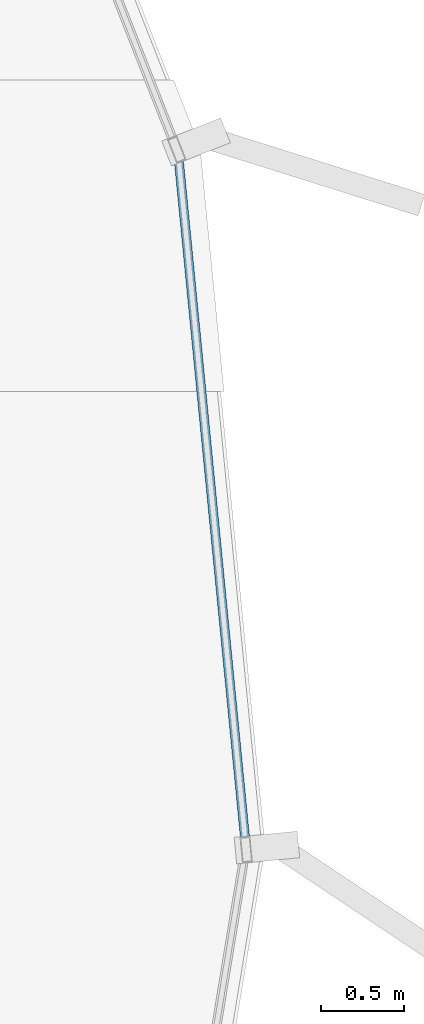
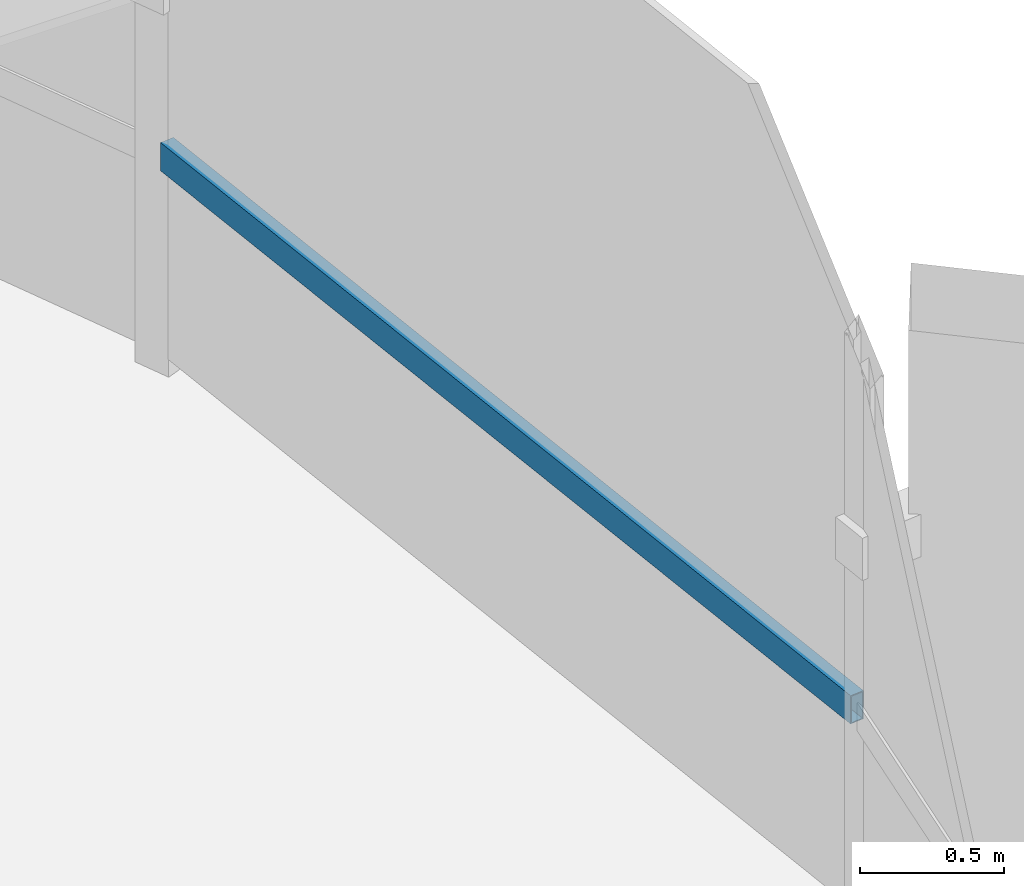
# One storey, part 17 of 35: 1 member, 1 element without a shape of its own.
"""IFC4 building model written with IfcOpenShell, lengths in metres."""

import ifcopenshell
import ifcopenshell.guid

model = None  # the IFC model being written
_history = None  # IfcOwnerHistory: only IFC2X3 demands one
_inside = {}  # id of a spatial element -> (the spatial element, [elements in it])
_under = {}  # id of a project, library or spatial element -> (it, [spatial elements below it])
_declared = {}  # id of a project -> (the project, [libraries it declares])
_typed = {}  # id of a type object -> (the type object, [elements of that type])
_made_of = {}  # id of a material, layer set ... -> (it, [elements and type objects made of it])


def new_model(schema):
    """Start an empty IFC model of exactly this schema.

    Asked for "IFC4X3", IfcOpenShell would pick the latest addendum, in which some entities
    have other attributes; the version numbers below select the first issue.
    IFC2X3 requires an IfcOwnerHistory on every rooted entity: one is made here for all.
    """
    global model, _history
    if schema == "IFC4X3":
        model = ifcopenshell.file(schema_version=(4, 3, 0, 0))
    else:
        model = ifcopenshell.file(schema=schema)
    _inside.clear()
    _under.clear()
    _declared.clear()
    _typed.clear()
    _made_of.clear()
    _history = None
    if model.schema == "IFC2X3":
        org = make("IfcOrganization", Name="unknown")
        user = make(
            "IfcPersonAndOrganization",
            ThePerson=make("IfcPerson", FamilyName="unknown"),
            TheOrganization=org,
        )
        app = make(
            "IfcApplication",
            ApplicationDeveloper=org,
            Version="unknown",
            ApplicationFullName="unknown",
            ApplicationIdentifier="unknown",
        )
        _history = make(
            "IfcOwnerHistory",
            OwningUser=user,
            OwningApplication=app,
            ChangeAction="ADDED",
            CreationDate=0,
        )
    return model


def make(cls, **values):
    """One entity of the class cls with the attributes given. An attribute that is None is left unset."""
    return model.create_entity(
        cls, **{name: value for name, value in values.items() if value is not None}
    )


def rooted(cls, **values):
    """An entity with a GlobalId (a new one), such as an element, a storey or a relation."""
    return make(cls, GlobalId=ifcopenshell.guid.new(), OwnerHistory=_history, **values)


def si_unit(unit_type, name, prefix=None):
    """IfcSIUnit, for example si_unit("LENGTHUNIT", "METRE", prefix="MILLI")."""
    return make("IfcSIUnit", UnitType=unit_type, Prefix=prefix, Name=name)


def assignment(units):
    """IfcUnitAssignment: the units of a project."""
    return None if units is None else make("IfcUnitAssignment", Units=units)


def point(xyz):
    """IfcCartesianPoint."""
    return None if xyz is None else make("IfcCartesianPoint", Coordinates=xyz)


def direction(xyz):
    """IfcDirection."""
    return None if xyz is None else make("IfcDirection", DirectionRatios=xyz)


def frame(location, z_axis=None, x_axis=None):
    """IfcAxis2Placement3D, a coordinate frame: its origin and axes. An axis left out is left unset."""
    return make(
        "IfcAxis2Placement3D",
        Location=point(location),
        Axis=direction(z_axis),
        RefDirection=direction(x_axis),
    )


def frame_2d(location, x_axis=None):
    """IfcAxis2Placement2D, a coordinate frame in the plane: its origin and x axis."""
    return make(
        "IfcAxis2Placement2D", Location=point(location), RefDirection=direction(x_axis)
    )


def origin():
    """The frame at (0, 0, 0) with its axes left unset."""
    return frame((0.0, 0.0, 0.0))


def origin_2d():
    """The frame at (0, 0) in the plane with its x axis left unset."""
    return frame_2d((0.0, 0.0))


def place(relative_to, where):
    """IfcLocalPlacement: puts the frame where relative to a parent placement (None: the world)."""
    return make(
        "IfcLocalPlacement", PlacementRelTo=relative_to, RelativePlacement=where
    )


def context(
    kind, dimensions, precision=None, world=None, true_north=None, identifier=None
):
    """IfcGeometricRepresentationContext, for example the 3D "Model" context."""
    return make(
        "IfcGeometricRepresentationContext",
        ContextIdentifier=identifier,
        ContextType=kind,
        CoordinateSpaceDimension=dimensions,
        Precision=precision,
        WorldCoordinateSystem=world,
        TrueNorth=true_north,
    )


def subcontext(parent, identifier, kind, view, scale=None):
    """IfcGeometricRepresentationSubContext, for example "Body" below "Model"."""
    return make(
        "IfcGeometricRepresentationSubContext",
        ContextIdentifier=identifier,
        ContextType=kind,
        ParentContext=parent,
        TargetScale=scale,
        TargetView=view,
    )


def project(units=None, contexts=None):
    """IfcProject with its units and contexts."""
    return rooted(
        "IfcProject",
        Name="project",
        RepresentationContexts=contexts,
        UnitsInContext=assignment(units),
    )


def spatial(cls, under=None, at=None, **own):
    """A site, building, storey or space (cls), placed at a placement, below another one or the project."""
    s = rooted(cls, ObjectPlacement=at, **own)
    if under is not None:
        _under.setdefault(under.id(), (under, []))[1].append(s)
    return s


def profile(cls, at=None, kind="AREA", **sizes):
    """A parametric profile (cls). Its sizes go by their IFC names, for example OverallWidth=200.0."""
    return make(cls, ProfileType=kind, Position=at, **sizes)


def hollow_rectangle(**sizes):
    """IfcRectangleHollowProfileDef."""
    return profile("IfcRectangleHollowProfileDef", **sizes)


def extrude(swept, where, along, depth):
    """IfcExtrudedAreaSolid: the profile swept, set in the frame where, extruded along a direction by depth."""
    return make(
        "IfcExtrudedAreaSolid",
        SweptArea=swept,
        Position=where,
        ExtrudedDirection=direction(along),
        Depth=depth,
    )


def shape(context_of_items, identifier, shape_type, items):
    """IfcShapeRepresentation: the items that make up one representation, for example the "Body"."""
    return make(
        "IfcShapeRepresentation",
        ContextOfItems=context_of_items,
        RepresentationIdentifier=identifier,
        RepresentationType=shape_type,
        Items=items,
    )


def source(mapping_origin, context_of_items, identifier, shape_type, items):
    """IfcRepresentationMap: a shape defined once, which mapped items show again and again."""
    return make(
        "IfcRepresentationMap",
        MappingOrigin=mapping_origin,
        MappedRepresentation=shape(context_of_items, identifier, shape_type, items),
    )


def transform(
    local_origin,
    x_axis=None,
    y_axis=None,
    z_axis=None,
    scale=None,
    scale2=None,
    scale3=None,
    uniform=True,
):
    """IfcCartesianTransformationOperator3D, or its non-uniform kind. x_axis, y_axis, z_axis: its Axis1, 2, 3."""
    if uniform:
        return make(
            "IfcCartesianTransformationOperator3D",
            Axis1=direction(x_axis),
            Axis2=direction(y_axis),
            LocalOrigin=point(local_origin),
            Scale=scale,
            Axis3=direction(z_axis),
        )
    return make(
        "IfcCartesianTransformationOperator3DnonUniform",
        Axis1=direction(x_axis),
        Axis2=direction(y_axis),
        LocalOrigin=point(local_origin),
        Scale=scale,
        Axis3=direction(z_axis),
        Scale2=scale2,
        Scale3=scale3,
    )


def mapped(mapping_source, mapping_target):
    """IfcMappedItem: shows the shape of a source again, moved by a transform."""
    return make(
        "IfcMappedItem", MappingSource=mapping_source, MappingTarget=mapping_target
    )


def material(Name=None, Category=None):
    """IfcMaterial."""
    return make("IfcMaterial", Name=Name, Category=Category)


def layer(
    of_material, thickness, ventilated=None, Name=None, Category=None, Priority=None
):
    """IfcMaterialLayer: one layer of a wall or slab, of a material (None: an air gap)."""
    return make(
        "IfcMaterialLayer",
        Material=of_material,
        LayerThickness=thickness,
        IsVentilated=ventilated,
        Name=Name,
        Category=Category,
        Priority=Priority,
    )


def layer_set(layers, Name=None):
    """IfcMaterialLayerSet."""
    return make("IfcMaterialLayerSet", MaterialLayers=layers, LayerSetName=Name)


def material_profile(
    of_material, cross_section, Name=None, Category=None, Priority=None
):
    """IfcMaterialProfile: a cross section and its material."""
    return make(
        "IfcMaterialProfile",
        Name=Name,
        Material=of_material,
        Profile=cross_section,
        Priority=Priority,
        Category=Category,
    )


def profile_set(profiles, Name=None, composite=None):
    """IfcMaterialProfileSet."""
    return make(
        "IfcMaterialProfileSet",
        Name=Name,
        MaterialProfiles=profiles,
        CompositeProfile=composite,
    )


def made_of(thing, what):
    """Note that an element or type object is made of a material, layer set ...; save() writes the relation."""
    if what is not None:
        _made_of.setdefault(what.id(), (what, []))[1].append(thing)
    return thing


def type_object(cls, material=None, **own):
    """A type object (cls), such as IfcWallType, which elements share."""
    return made_of(rooted(cls, **own), material)


def element(
    cls,
    number,
    at=None,
    inside=None,
    cuts=None,
    type_object=None,
    material=None,
    context=None,
    identifier="Body",
    shape_type=None,
    held_by="IfcProductDefinitionShape",
    body=None,
    shapes=None,
    **own,
):
    """One element of the class cls, such as IfcWall. Its Tag is "e" and its number.

    at: its placement. inside: the storey or other place that contains it. cuts: it is an
    opening in that element (IfcRelVoidsElement). A single representation is given by context,
    identifier, shape_type and body (its items); several are given by shapes. held_by: the class
    of the entity that holds the representations. save() writes the other relations.
    """
    e = rooted(cls, Tag="e%d" % number, ObjectPlacement=at, **own)
    if body is not None:
        shapes = [shape(context, identifier, shape_type, body)]
    if shapes is not None:
        e.Representation = make(held_by, Representations=shapes)
    if inside is not None:
        _inside.setdefault(inside.id(), (inside, []))[1].append(e)
    if cuts is not None:
        rooted(
            "IfcRelVoidsElement", RelatingBuildingElement=cuts, RelatedOpeningElement=e
        )
    if type_object is not None:
        _typed.setdefault(type_object.id(), (type_object, []))[1].append(e)
    return made_of(e, material)


def aggregate(whole, parts):
    """IfcRelAggregates: a whole, such as a stair, and the parts it consists of."""
    return rooted("IfcRelAggregates", RelatingObject=whole, RelatedObjects=parts)


def save(model, path):
    """Write the relations noted so far, then the file.

    IfcRelAggregates (storeys below a building ...), IfcRelContainedInSpatialStructure (elements
    in a storey), IfcRelDefinesByType, IfcRelAssociatesMaterial and IfcRelDeclares: one each for
    every whole, place, type object, material and project.
    """
    for whole, parts in _under.values():
        aggregate(whole, parts)
    for where, things in _inside.values():
        rooted(
            "IfcRelContainedInSpatialStructure",
            RelatedElements=things,
            RelatingStructure=where,
        )
    for kind, things in _typed.values():
        rooted("IfcRelDefinesByType", RelatedObjects=things, RelatingType=kind)
    for what, things in _made_of.values():
        rooted("IfcRelAssociatesMaterial", RelatedObjects=things, RelatingMaterial=what)
    for by, libraries in _declared.values():
        rooted("IfcRelDeclares", RelatingContext=by, RelatedDefinitions=libraries)
    model.write(path)


model = new_model("IFC4")

# Units and contexts
model_context = context("Model", 3, precision=1e-05, world=origin(), true_north=direction((0.0, 1.0)))
body_context = subcontext(model_context, "Body", "Model", "MODEL_VIEW")
ifc_project = project(units=[si_unit("LENGTHUNIT", "METRE"), si_unit("AREAUNIT", "SQUARE_METRE"), si_unit("VOLUMEUNIT", "CUBIC_METRE"), si_unit("PLANEANGLEUNIT", "RADIAN"), si_unit("MASSUNIT", "GRAM", prefix="KILO"), si_unit("THERMODYNAMICTEMPERATUREUNIT", "KELVIN")], contexts=[model_context])

# Site, building, storey
site_placement = place(None, origin())
site = spatial("IfcSite", under=ifc_project, at=site_placement, CompositionType="ELEMENT")
building_placement = place(site_placement, origin())
building = spatial("IfcBuilding", under=site, at=building_placement, Name="Kethvar Cultural Tower", CompositionType="ELEMENT")
storey_placement = place(building_placement, frame((0.0, 0.0, 89.199951171875)))
storey = spatial("IfcBuildingStorey", under=building, at=storey_placement, Name="L21", CompositionType="ELEMENT", Elevation=89.199951171875)

# Curtain wall, member
ifc_material = material(Name="Aluminium 6063-T6", Category="aluminium")
ifc_layer = layer(ifc_material, 0.179931640625, Name="Aluminium 6063-T6", Category="aluminium")
ifc_layer_set = layer_set([ifc_layer], Name="Aluminium 6063-T6 (180 mm)")
curtain_wall_type = type_object("IfcCurtainWallType", Name="CW-SYS-03-Z2", PredefinedType="NOTDEFINED", material=ifc_layer_set)
curtain_wall_placement = place(storey_placement, origin())
curtain_wall = element("IfcCurtainWall", 1, at=curtain_wall_placement, inside=storey, type_object=curtain_wall_type, Name="L21 Curtain Wall Run 06", PredefinedType="NOTDEFINED")
ifc_material_profile = material_profile(ifc_material, hollow_rectangle(XDim=0.054931640625, YDim=0.1201171875, WallThickness=0.00390625, at=origin_2d()), Name="Aluminium 6063-T6 — RHS120x55x4")
ifc_profile_set = profile_set([ifc_material_profile], Name="Aluminium 6063-T6 — RHS120x55x4")
member_type = type_object("IfcMemberType", Name="CW-SYS-03-Z2-TRN", PredefinedType="USERDEFINED", material=ifc_profile_set)
shared_shape = source(origin(), body_context, "Body", "SweptSolid", [
    extrude(hollow_rectangle(XDim=0.054931640625, YDim=0.1201171875, WallThickness=0.00390625, at=origin_2d()), origin(), (0.0, 0.0, 1.0), 4.1318359375),
])
member_placement = place(storey_placement, frame((79.131591796875, 31.32568359375, 0.949951171875), z_axis=(-0.097256994191, 0.995259301429, 0.0), x_axis=(-0.995259301429, -0.097256994191, 0.0)))
member = element("IfcMember", 2, at=member_placement, type_object=member_type, Name="CW-L21-R06 Transom 5", ObjectType="TRANSOM", PredefinedType="USERDEFINED", context=body_context, shape_type="MappedRepresentation", body=[
    mapped(shared_shape, transform((0.0, 0.0, 0.0), scale=1.0)),
])
aggregate(curtain_wall, [member])

save(model, "model.ifc")
